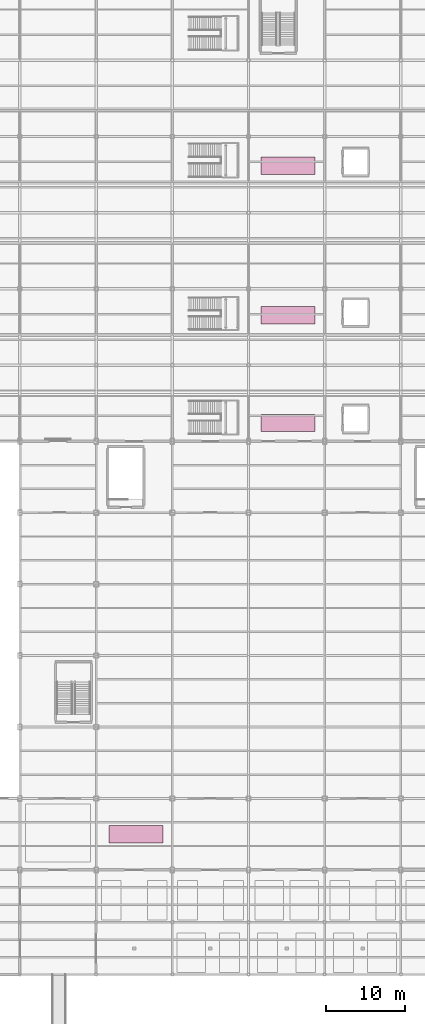
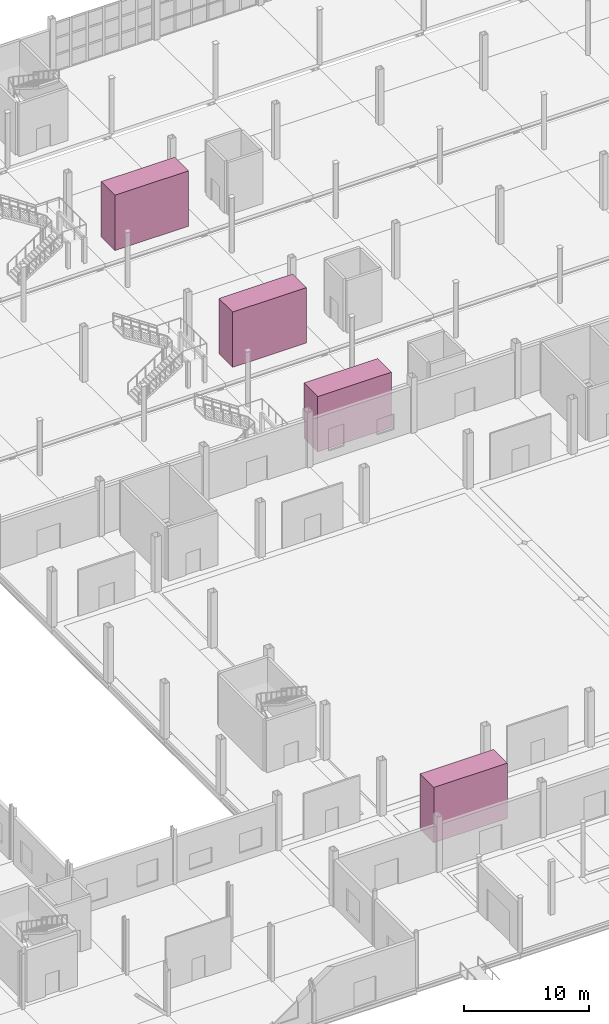
# One storey, part 85 of 85: 4 transport elements.
"""IFC4 building model written with IfcOpenShell, lengths in metres."""

from ifc_helpers import new_model, si_unit, direction, frame, origin, origin_2d, place, context, subcontext, project, spatial, rectangle, extrude, material, type_object, element, save


model = new_model("IFC4")

# Units and contexts
model_context = context("Model", 3, precision=1e-05, world=origin(), true_north=direction((0.0, 1.0)))
body_context = subcontext(model_context, "Body", "Model", "MODEL_VIEW")
ifc_project = project(units=[si_unit("LENGTHUNIT", "METRE"), si_unit("AREAUNIT", "SQUARE_METRE"), si_unit("VOLUMEUNIT", "CUBIC_METRE"), si_unit("PLANEANGLEUNIT", "RADIAN"), si_unit("MASSUNIT", "GRAM", prefix="KILO")], contexts=[model_context])

# Site, building, storey
site_placement = place(None, origin())
site = spatial("IfcSite", under=ifc_project, at=site_placement, CompositionType="ELEMENT")
building_placement = place(site_placement, origin())
building = spatial("IfcBuilding", under=site, at=building_placement, Name="Zarnetskaya Central Station", CompositionType="ELEMENT")
storey_placement = place(building_placement, origin())
storey = spatial("IfcBuildingStorey", under=building, at=storey_placement, Name="L00", CompositionType="ELEMENT", Elevation=0.0)

# Transport elements
ifc_material = material(Name="Anodised aluminium", Category="aluminium")
transport_element_type = type_object("IfcTransportElementType", Name="ESC-CONCOURSE", PredefinedType="ESCALATOR", material=ifc_material)
for number, where, z_axis, x_axis, name in (
    (1, (91.39990234375, 69.5, 0.0), (0.0, 0.0, 1.0), (1.0, 0.0, 0.0), "Passenger escalator ES-01"),
    (2, (91.39990234375, 83.10009765625, 0.0), (0.0, 0.0, 1.0), (1.0, 0.0, 0.0), "Passenger escalator ES-02"),
    (3, (91.39990234375, 101.89990234375, 0.0), (0.0, 0.0, 1.0), (1.0, 0.0, 0.0), "Passenger escalator ES-03"),
    (4, (72.199951171875, 17.699951171875, 0.0), (0.0, 0.0, 1.0), (1.0, 0.0, 0.0), "Passenger escalator ES-04"),
):
    element("IfcTransportElement", number, at=place(storey_placement, frame(where, z_axis=z_axis, x_axis=x_axis)), inside=storey, type_object=transport_element_type, Name=name, PredefinedType="ESCALATOR", context=body_context, shape_type="SweptSolid", body=[
        extrude(rectangle(XDim=6.800048828125, YDim=2.199951171875, at=origin_2d()), origin(), (0.0, 0.0, 1.0), 5.39990234375),
    ])

save(model, "model.ifc")
